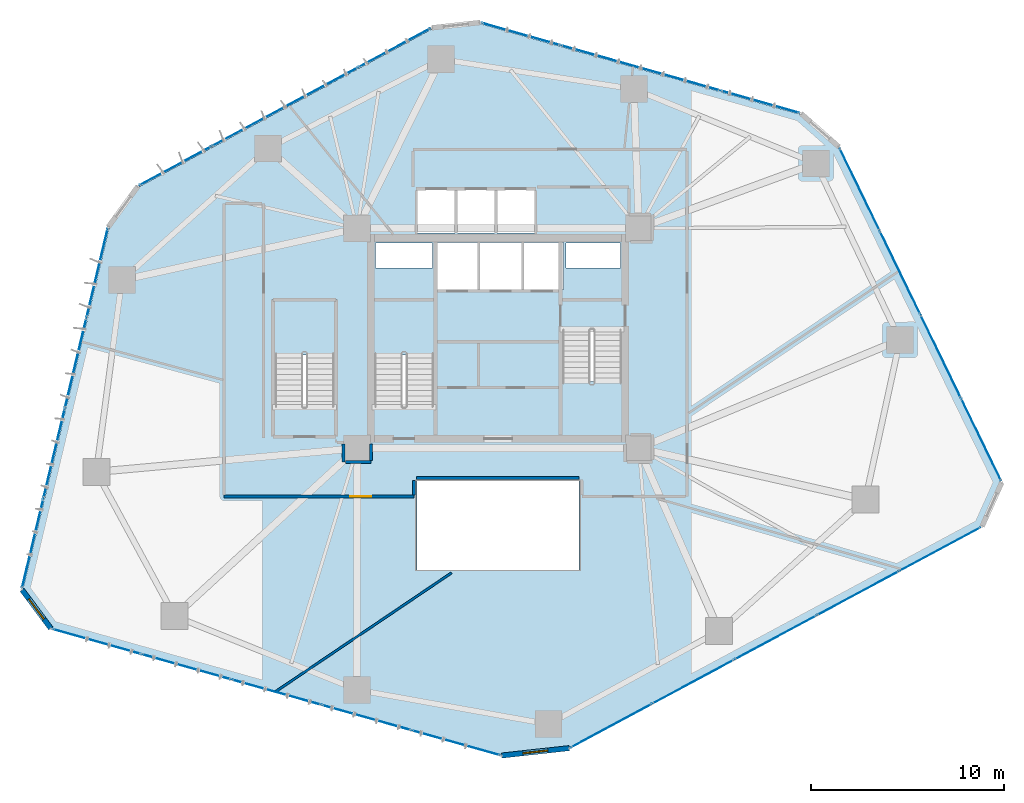
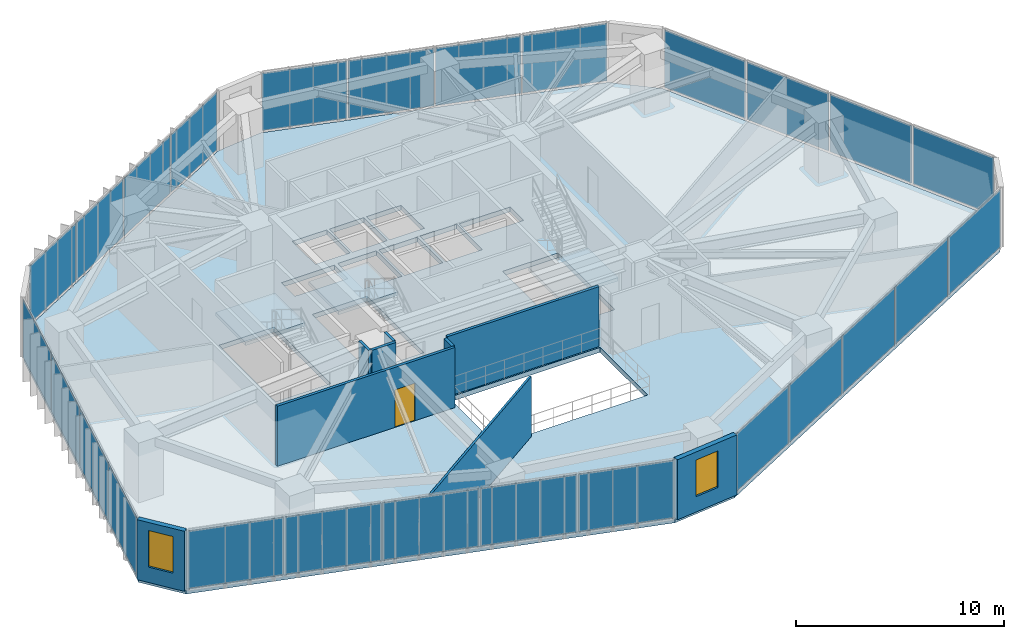
# One storey, part 18 of 24: 26 plates, 9 walls, 4 slabs, 2 windows, 1 door, 3 openings, 9 elements without a shape of their own.
"""IFC4 building model written with IfcOpenShell, lengths in metres."""

from ifc_helpers import new_model, si_unit, direction, frame, frame_2d, origin, origin_2d, place, context, subcontext, project, spatial, polyline, rectangle, outline, extrude, source, transform, mapped, material, layer, layer_set, type_object, type_shapes, element, fill, aggregate, save


model = new_model("IFC4")

# Units and contexts
model_context = context("Model", 3, precision=1e-05, world=origin(), true_north=direction((0.0, 1.0)))
body_context = subcontext(model_context, "Body", "Model", "MODEL_VIEW")
ifc_project = project(units=[si_unit("LENGTHUNIT", "METRE"), si_unit("AREAUNIT", "SQUARE_METRE"), si_unit("VOLUMEUNIT", "CUBIC_METRE"), si_unit("PLANEANGLEUNIT", "RADIAN"), si_unit("MASSUNIT", "GRAM", prefix="KILO")], contexts=[model_context])

# Site, building, storey
site_placement = place(None, origin())
site = spatial("IfcSite", under=ifc_project, at=site_placement, CompositionType="ELEMENT")
building_placement = place(site_placement, origin())
building = spatial("IfcBuilding", under=site, at=building_placement, Name="Talar Marvaseh", CompositionType="ELEMENT")
storey_placement = place(building_placement, frame((0.0, 0.0, 43.0)))
storey = spatial("IfcBuildingStorey", under=building, at=storey_placement, Name="L10", CompositionType="ELEMENT", Elevation=43.0)

# Stair, slab
ifc_material_1 = material(Name="Concrete C40/50", Category="concrete")
stair_type = type_object("IfcStairType", Name="Reinforced Concrete Half-Turn Exit Stair Type B", PredefinedType="HALF_TURN_STAIR", material=ifc_material_1)
stair_1_placement = place(storey_placement, origin())
stair_1 = element("IfcStair", 1, at=stair_1_placement, inside=storey, type_object=stair_type, Name="L10 Tower West Core Exit Stair", PredefinedType="HALF_TURN_STAIR")
ifc_layer_1 = layer(ifc_material_1, 0.199951171875)
ifc_layer_set_1 = layer_set([ifc_layer_1], Name="Concrete C40/50")
slab_type_1 = type_object("IfcSlabType", Name="Reinforced Concrete Stair Half-Landing Slab 200", PredefinedType="LANDING", material=ifc_layer_set_1)
slab_1_placement = place(storey_placement, frame((0.0, 0.0, 1.699951171875)))
slab_1 = element("IfcSlab", 2, at=slab_1_placement, type_object=slab_type_1, Name="ST-1 landing 1", PredefinedType="LANDING", context=body_context, shape_type="SweptSolid", body=[
    extrude(outline(polyline([(22.780029296875, 30.330078125), (22.780029296875, 33.219970703125), (19.47998046875, 33.219970703125), (19.47998046875, 30.330078125), (22.780029296875, 30.330078125)])), origin(), (0.0, 0.0, 1.0), 0.199951171875),
])
aggregate(stair_1, [slab_1])

stair_2_placement = place(storey_placement, origin())
stair_2 = element("IfcStair", 3, at=stair_2_placement, inside=storey, type_object=stair_type, Name="L10 Tower East Core Exit Stair", PredefinedType="HALF_TURN_STAIR")
slab_2_placement = place(storey_placement, frame((0.0, 0.0, 1.699951171875)))
slab_2 = element("IfcSlab", 4, at=slab_2_placement, type_object=slab_type_1, Name="ST-2 landing 1", PredefinedType="LANDING", context=body_context, shape_type="SweptSolid", body=[
    extrude(outline(polyline([(29.219970703125, 28.969970703125), (29.219970703125, 26.080078125), (32.52001953125, 26.080078125), (32.52001953125, 28.969970703125), (29.219970703125, 28.969970703125)])), origin(), (0.0, 0.0, 1.0), 0.199951171875),
])
aggregate(stair_2, [slab_2])

stair_3_placement = place(storey_placement, origin())
stair_3 = element("IfcStair", 5, at=stair_3_placement, inside=storey, type_object=stair_type, Name="L10 Museum & Podium Auxiliary Exit Stair", PredefinedType="HALF_TURN_STAIR")
slab_3_placement = place(storey_placement, frame((0.0, 0.0, 1.699951171875)))
slab_3 = element("IfcSlab", 6, at=slab_3_placement, type_object=slab_type_1, Name="ST-3 landing 1", PredefinedType="LANDING", context=body_context, shape_type="SweptSolid", body=[
    extrude(outline(polyline([(17.6201171875, 30.330078125), (17.6201171875, 33.219970703125), (14.320068359375, 33.219970703125), (14.320068359375, 30.330078125), (17.6201171875, 30.330078125)])), origin(), (0.0, 0.0, 1.0), 0.199951171875),
])
aggregate(stair_3, [slab_3])

# Slab
ifc_layer_2 = layer(ifc_material_1, 0.280029296875)
ifc_layer_set_2 = layer_set([ifc_layer_2], Name="Concrete C40/50")
slab_type_2 = type_object("IfcSlabType", Name="Structural Suspended Floor Slab 280", PredefinedType="FLOOR", material=ifc_layer_set_2)
slab_4_placement = place(storey_placement, frame((0.0, 0.0, -0.280029296875)))
element("IfcSlab", 7, at=slab_4_placement, inside=storey, type_object=slab_type_2, Name="L10 Tower Floor Slab", PredefinedType="FLOOR", context=body_context, shape_type="SweptSolid", body=[
    extrude(outline(polyline([(2.860595703125, 16.19970703125), (1.376953125, 18.19189453125), (5.84326171875, 36.93359375), (7.3896484375, 39.052490234375), (22.5732421875, 47.234130859375), (25.07421875, 47.508056640625), (41.668701171875, 42.806884765625), (43.63720703125, 41.07275390625), (52.053955078125, 23.7421875), (51.03662109375, 21.475830078125), (29.69384765625, 10.01220703125), (26.1787109375, 9.627197265625), (2.860595703125, 16.19970703125)]), holes=[polyline([(22.659912109375, 27.64990234375), (22.659912109375, 33.10009765625), (19.60009765625, 33.10009765625), (19.60009765625, 27.64990234375), (22.659912109375, 27.64990234375)]), polyline([(29.340087890625, 31.64990234375), (29.340087890625, 26.199951171875), (32.39990234375, 26.199951171875), (32.39990234375, 31.64990234375), (29.340087890625, 31.64990234375)]), polyline([(17.5, 27.64990234375), (17.5, 33.10009765625), (14.43994140625, 33.10009765625), (14.43994140625, 27.64990234375), (17.5, 27.64990234375)]), polyline([(22.800048828125, 33.719970703125), (24.93994140625, 33.719970703125), (24.93994140625, 36.179931640625), (22.800048828125, 36.179931640625), (22.800048828125, 33.719970703125)]), polyline([(25.080078125, 33.719970703125), (27.219970703125, 33.719970703125), (27.219970703125, 36.179931640625), (25.080078125, 36.179931640625), (25.080078125, 33.719970703125)]), polyline([(27.360107421875, 33.719970703125), (29.39990234375, 33.719970703125), (29.39990234375, 36.179931640625), (27.360107421875, 36.179931640625), (27.360107421875, 33.719970703125)]), polyline([(21.840087890625, 36.659912109375), (23.760009765625, 36.659912109375), (23.760009765625, 38.8798828125), (21.840087890625, 38.8798828125), (21.840087890625, 36.659912109375)]), polyline([(23.89990234375, 36.659912109375), (25.820068359375, 36.659912109375), (25.820068359375, 38.8798828125), (23.89990234375, 38.8798828125), (23.89990234375, 36.659912109375)]), polyline([(25.9599609375, 36.659912109375), (27.8798828125, 36.659912109375), (27.8798828125, 38.8798828125), (25.9599609375, 38.8798828125), (25.9599609375, 36.659912109375)]), polyline([(19.659912109375, 34.840087890625), (22.60009765625, 34.840087890625), (22.60009765625, 36.139892578125), (19.659912109375, 36.139892578125), (19.659912109375, 34.840087890625)]), polyline([(29.52001953125, 34.840087890625), (32.340087890625, 34.840087890625), (32.340087890625, 36.139892578125), (29.52001953125, 36.139892578125), (29.52001953125, 34.840087890625)]), polyline([(21.800048828125, 19.199951171875), (30.199951171875, 19.199951171875), (30.199951171875, 23.800048828125), (21.800048828125, 23.800048828125), (21.800048828125, 19.199951171875)])]), origin(), (0.0, 0.0, 1.0), 0.280029296875),
])

# Curtain wall, plates
ifc_material_2 = material(Name="Architectural Aluminium", Category="aluminium")
ifc_layer_3 = layer(ifc_material_2, 0.219970703125)
ifc_layer_set_3 = layer_set([ifc_layer_3], Name="Architectural Aluminium")
curtain_wall_type = type_object("IfcCurtainWallType", Name="Unitised Low-E Museum Curtain Wall Z1", PredefinedType="NOTDEFINED", material=ifc_layer_set_3)
curtain_wall_1_placement = place(storey_placement, origin())
curtain_wall_1 = element("IfcCurtainWall", 8, at=curtain_wall_1_placement, inside=storey, type_object=curtain_wall_type, Name="L10 Unitised Low-E Museum Curtain Wall Z1", PredefinedType="NOTDEFINED")
ifc_material_3 = material(Name="Laminated Low-E Solar Glass", Category="glass")
ifc_layer_4 = layer(ifc_material_3, 0.028076171875)
ifc_layer_set_4 = layer_set([ifc_layer_4], Name="Laminated Low-E Solar Glass")
plate_type = type_object("IfcPlateType", Name="Double-Glazed Low-E Vision Curtain Panel 28", PredefinedType="CURTAIN_PANEL", material=ifc_layer_set_4)
shared_shape_1 = source(origin(), body_context, "Body", "SweptSolid", [
    extrude(rectangle(XDim=4.696533203125, YDim=0.028076171875, at=origin_2d()), origin(), (0.0, 0.0, 1.0), 3.3701171875),
])
plate_1_placement = place(storey_placement, frame((1.881591796875, 20.568115234375, 0.074951171875), z_axis=(0.0, 0.0, 1.0), x_axis=(0.231811619213, 0.972760696779, 0.0)))
plate_1 = element("IfcPlate", 9, at=plate_1_placement, type_object=plate_type, Name="CW-Z1 panel 1.1", PredefinedType="CURTAIN_PANEL", context=body_context, shape_type="MappedRepresentation", body=[
    mapped(shared_shape_1, transform((0.0, 0.0, 0.0), x_axis=(1.0, 0.0, 0.0), y_axis=(0.0, 1.0, 0.0), z_axis=(0.0, 0.0, 1.0), scale=1.0)),
])
plate_2_placement = place(storey_placement, frame((5.221923828125, 34.58544921875, 0.074951171875), z_axis=(0.0, 0.0, 1.0), x_axis=(0.231811619213, 0.972760696779, 0.0)))
plate_2 = element("IfcPlate", 10, at=plate_2_placement, type_object=plate_type, Name="CW-Z1 panel 4.1", PredefinedType="CURTAIN_PANEL", context=body_context, shape_type="MappedRepresentation", body=[
    mapped(shared_shape_1, transform((0.0, 0.0, 0.0), x_axis=(1.0, 0.0, 0.0), y_axis=(0.0, 1.0, 0.0), z_axis=(0.0, 0.0, 1.0), scale=1.0)),
])

curtain_wall_2_placement = place(storey_placement, origin())
curtain_wall_2 = element("IfcCurtainWall", 11, at=curtain_wall_2_placement, inside=storey, type_object=curtain_wall_type, Name="L10 Unitised Low-E Museum Curtain Wall Z1", PredefinedType="NOTDEFINED")
plate_3_placement = place(storey_placement, frame((44.751953125, 38.91455078125, 0.074951171875), z_axis=(0.0, 0.0, 1.0), x_axis=(0.436863286086, -0.89952791467, 0.0)))
plate_3 = element("IfcPlate", 12, at=plate_3_placement, type_object=plate_type, Name="CW-Z1 panel 1.1", PredefinedType="CURTAIN_PANEL", context=body_context, shape_type="MappedRepresentation", body=[
    mapped(shared_shape_1, transform((0.0, 0.0, 0.0), x_axis=(1.0, 0.0, 0.0), y_axis=(0.0, 1.0, 0.0), z_axis=(0.0, 0.0, 1.0), scale=1.0)),
])
plate_4_placement = place(storey_placement, frame((51.047119140625, 25.95263671875, 0.074951171875), z_axis=(0.0, 0.0, 1.0), x_axis=(0.436863286086, -0.89952791467, 0.0)))
plate_4 = element("IfcPlate", 13, at=plate_4_placement, type_object=plate_type, Name="CW-Z1 panel 4.1", PredefinedType="CURTAIN_PANEL", context=body_context, shape_type="MappedRepresentation", body=[
    mapped(shared_shape_1, transform((0.0, 0.0, 0.0), x_axis=(1.0, 0.0, 0.0), y_axis=(0.0, 1.0, 0.0), z_axis=(0.0, 0.0, 1.0), scale=1.0)),
])

# Plate
shared_shape_2 = source(origin(), body_context, "Body", "SweptSolid", [
    extrude(rectangle(XDim=4.736572265625, YDim=0.028076171875, at=origin_2d()), origin(), (0.0, 0.0, 1.0), 3.3701171875),
])
plate_5_placement = place(storey_placement, frame((2.993408203125, 25.234130859375, 0.074951171875), z_axis=(0.0, 0.0, 1.0), x_axis=(0.231811619213, 0.972760696779, 0.0)))
plate_5 = element("IfcPlate", 14, at=plate_5_placement, type_object=plate_type, Name="CW-Z1 panel 2.1", PredefinedType="CURTAIN_PANEL", context=body_context, shape_type="MappedRepresentation", body=[
    mapped(shared_shape_2, transform((0.0, 0.0, 0.0), x_axis=(1.0, 0.0, 0.0), y_axis=(0.0, 1.0, 0.0), z_axis=(0.0, 0.0, 1.0), scale=1.0)),
])

plate_6_placement = place(storey_placement, frame((4.10986328125, 29.91943359375, 0.074951171875), z_axis=(0.0, 0.0, 1.0), x_axis=(0.231811619213, 0.972760696779, 0.0)))
plate_6 = element("IfcPlate", 15, at=plate_6_placement, type_object=plate_type, Name="CW-Z1 panel 3.1", PredefinedType="CURTAIN_PANEL", context=body_context, shape_type="MappedRepresentation", body=[
    mapped(shared_shape_2, transform((0.0, 0.0, 0.0), x_axis=(1.0, 0.0, 0.0), y_axis=(0.0, 1.0, 0.0), z_axis=(0.0, 0.0, 1.0), scale=1.0)),
])

aggregate(curtain_wall_1, [plate_1, plate_5, plate_6, plate_2])

plate_7_placement = place(storey_placement, frame((46.847412109375, 34.60009765625, 0.074951171875), z_axis=(0.0, 0.0, 1.0), x_axis=(0.436863286086, -0.89952791467, 0.0)))
plate_7 = element("IfcPlate", 16, at=plate_7_placement, type_object=plate_type, Name="CW-Z1 panel 2.1", PredefinedType="CURTAIN_PANEL", context=body_context, shape_type="MappedRepresentation", body=[
    mapped(shared_shape_2, transform((0.0, 0.0, 0.0), x_axis=(1.0, 0.0, 0.0), y_axis=(0.0, 1.0, 0.0), z_axis=(0.0, 0.0, 1.0), scale=1.0)),
])

plate_8_placement = place(storey_placement, frame((48.95166015625, 30.267333984375, 0.074951171875), z_axis=(0.0, 0.0, 1.0), x_axis=(0.436863286086, -0.89952791467, 0.0)))
plate_8 = element("IfcPlate", 17, at=plate_8_placement, type_object=plate_type, Name="CW-Z1 panel 3.1", PredefinedType="CURTAIN_PANEL", context=body_context, shape_type="MappedRepresentation", body=[
    mapped(shared_shape_2, transform((0.0, 0.0, 0.0), x_axis=(1.0, 0.0, 0.0), y_axis=(0.0, 1.0, 0.0), z_axis=(0.0, 0.0, 1.0), scale=1.0)),
])

aggregate(curtain_wall_2, [plate_3, plate_7, plate_8, plate_4])

# Curtain wall, plates
curtain_wall_3_placement = place(storey_placement, origin())
curtain_wall_3 = element("IfcCurtainWall", 18, at=curtain_wall_3_placement, inside=storey, type_object=curtain_wall_type, Name="L10 Unitised Low-E Museum Curtain Wall Z1", PredefinedType="NOTDEFINED")
shared_shape_3 = source(origin(), body_context, "Body", "SweptSolid", [
    extrude(rectangle(XDim=4.19189453125, YDim=0.028076171875, at=origin_2d()), origin(), (0.0, 0.0, 1.0), 3.3701171875),
])
plate_9_placement = place(storey_placement, frame((9.27685546875, 40.1376953125, 0.074951171875), z_axis=(0.0, 0.0, 1.0), x_axis=(0.880329011065, 0.474363607665, 0.0)))
plate_9 = element("IfcPlate", 19, at=plate_9_placement, type_object=plate_type, Name="CW-Z1 panel 1.1", PredefinedType="CURTAIN_PANEL", context=body_context, shape_type="MappedRepresentation", body=[
    mapped(shared_shape_3, transform((0.0, 0.0, 0.0), x_axis=(1.0, 0.0, 0.0), y_axis=(0.0, 1.0, 0.0), z_axis=(0.0, 0.0, 1.0), scale=1.0)),
])
plate_10_placement = place(storey_placement, frame((20.629150390625, 46.2548828125, 0.074951171875), z_axis=(0.0, 0.0, 1.0), x_axis=(0.880329011065, 0.474363607665, 0.0)))
plate_10 = element("IfcPlate", 20, at=plate_10_placement, type_object=plate_type, Name="CW-Z1 panel 4.1", PredefinedType="CURTAIN_PANEL", context=body_context, shape_type="MappedRepresentation", body=[
    mapped(shared_shape_3, transform((0.0, 0.0, 0.0), x_axis=(1.0, 0.0, 0.0), y_axis=(0.0, 1.0, 0.0), z_axis=(0.0, 0.0, 1.0), scale=1.0)),
])

curtain_wall_4_placement = place(storey_placement, origin())
curtain_wall_4 = element("IfcCurtainWall", 21, at=curtain_wall_4_placement, inside=storey, type_object=curtain_wall_type, Name="L10 Unitised Low-E Museum Curtain Wall Z1", PredefinedType="NOTDEFINED")
plate_11_placement = place(storey_placement, frame((27.184326171875, 46.97265625, 0.074951171875), z_axis=(0.0, 0.0, 1.0), x_axis=(0.962133518358, -0.272578599403, 0.0)))
plate_11 = element("IfcPlate", 22, at=plate_11_placement, type_object=plate_type, Name="CW-Z1 panel 1.1", PredefinedType="CURTAIN_PANEL", context=body_context, shape_type="MappedRepresentation", body=[
    mapped(shared_shape_3, transform((0.0, 0.0, 0.0), x_axis=(1.0, 0.0, 0.0), y_axis=(0.0, 1.0, 0.0), z_axis=(0.0, 0.0, 1.0), scale=1.0)),
])
plate_12_placement = place(storey_placement, frame((39.591552734375, 43.45751953125, 0.074951171875), z_axis=(0.0, 0.0, 1.0), x_axis=(0.962133518358, -0.272578599403, 0.0)))
plate_12 = element("IfcPlate", 23, at=plate_12_placement, type_object=plate_type, Name="CW-Z1 panel 4.1", PredefinedType="CURTAIN_PANEL", context=body_context, shape_type="MappedRepresentation", body=[
    mapped(shared_shape_3, transform((0.0, 0.0, 0.0), x_axis=(1.0, 0.0, 0.0), y_axis=(0.0, 1.0, 0.0), z_axis=(0.0, 0.0, 1.0), scale=1.0)),
])

# Plate
shared_shape_4 = source(origin(), body_context, "Body", "SweptSolid", [
    extrude(rectangle(XDim=4.23193359375, YDim=0.028076171875, at=origin_2d()), origin(), (0.0, 0.0, 1.0), 3.3701171875),
])
plate_13_placement = place(storey_placement, frame((13.054931640625, 42.173583984375, 0.074951171875), z_axis=(0.0, 0.0, 1.0), x_axis=(0.880329011065, 0.474363607665, 0.0)))
plate_13 = element("IfcPlate", 24, at=plate_13_placement, type_object=plate_type, Name="CW-Z1 panel 2.1", PredefinedType="CURTAIN_PANEL", context=body_context, shape_type="MappedRepresentation", body=[
    mapped(shared_shape_4, transform((0.0, 0.0, 0.0), x_axis=(1.0, 0.0, 0.0), y_axis=(0.0, 1.0, 0.0), z_axis=(0.0, 0.0, 1.0), scale=1.0)),
])

plate_14_placement = place(storey_placement, frame((16.850830078125, 44.218994140625, 0.074951171875), z_axis=(0.0, 0.0, 1.0), x_axis=(0.880329011065, 0.474363607665, 0.0)))
plate_14 = element("IfcPlate", 25, at=plate_14_placement, type_object=plate_type, Name="CW-Z1 panel 3.1", PredefinedType="CURTAIN_PANEL", context=body_context, shape_type="MappedRepresentation", body=[
    mapped(shared_shape_4, transform((0.0, 0.0, 0.0), x_axis=(1.0, 0.0, 0.0), y_axis=(0.0, 1.0, 0.0), z_axis=(0.0, 0.0, 1.0), scale=1.0)),
])

aggregate(curtain_wall_3, [plate_9, plate_13, plate_14, plate_10])

plate_15_placement = place(storey_placement, frame((31.313720703125, 45.802734375, 0.074951171875), z_axis=(0.0, 0.0, 1.0), x_axis=(0.962133518358, -0.272578599403, 0.0)))
plate_15 = element("IfcPlate", 26, at=plate_15_placement, type_object=plate_type, Name="CW-Z1 panel 2.1", PredefinedType="CURTAIN_PANEL", context=body_context, shape_type="MappedRepresentation", body=[
    mapped(shared_shape_4, transform((0.0, 0.0, 0.0), x_axis=(1.0, 0.0, 0.0), y_axis=(0.0, 1.0, 0.0), z_axis=(0.0, 0.0, 1.0), scale=1.0)),
])

plate_16_placement = place(storey_placement, frame((35.462158203125, 44.62744140625, 0.074951171875), z_axis=(0.0, 0.0, 1.0), x_axis=(0.962133518358, -0.272578599403, 0.0)))
plate_16 = element("IfcPlate", 27, at=plate_16_placement, type_object=plate_type, Name="CW-Z1 panel 3.1", PredefinedType="CURTAIN_PANEL", context=body_context, shape_type="MappedRepresentation", body=[
    mapped(shared_shape_4, transform((0.0, 0.0, 0.0), x_axis=(1.0, 0.0, 0.0), y_axis=(0.0, 1.0, 0.0), z_axis=(0.0, 0.0, 1.0), scale=1.0)),
])

aggregate(curtain_wall_4, [plate_11, plate_15, plate_16, plate_12])

# Curtain wall, plates
curtain_wall_5_placement = place(storey_placement, origin())
curtain_wall_5 = element("IfcCurtainWall", 28, at=curtain_wall_5_placement, inside=storey, type_object=curtain_wall_type, Name="L10 Unitised Low-E Museum Curtain Wall Z1", PredefinedType="NOTDEFINED")
shared_shape_5 = source(origin(), body_context, "Body", "SweptSolid", [
    extrude(rectangle(XDim=4.725341796875, YDim=0.028076171875, at=origin_2d()), origin(), (0.0, 0.0, 1.0), 3.3701171875),
])
plate_17_placement = place(storey_placement, frame((48.9130859375, 20.26708984375, 0.074951171875), z_axis=(0.0, 0.0, 1.0), x_axis=(-0.880963012144, -0.473185134207, 0.0)))
plate_17 = element("IfcPlate", 29, at=plate_17_placement, type_object=plate_type, Name="CW-Z1 panel 1.1", PredefinedType="CURTAIN_PANEL", context=body_context, shape_type="MappedRepresentation", body=[
    mapped(shared_shape_5, transform((0.0, 0.0, 0.0), x_axis=(1.0, 0.0, 0.0), y_axis=(0.0, 1.0, 0.0), z_axis=(0.0, 0.0, 1.0), scale=1.0)),
])
plate_18_placement = place(storey_placement, frame((31.8740234375, 11.115234375, 0.074951171875), z_axis=(0.0, 0.0, 1.0), x_axis=(-0.880963012144, -0.473185134207, 0.0)))
plate_18 = element("IfcPlate", 30, at=plate_18_placement, type_object=plate_type, Name="CW-Z1 panel 5.1", PredefinedType="CURTAIN_PANEL", context=body_context, shape_type="MappedRepresentation", body=[
    mapped(shared_shape_5, transform((0.0, 0.0, 0.0), x_axis=(1.0, 0.0, 0.0), y_axis=(0.0, 1.0, 0.0), z_axis=(0.0, 0.0, 1.0), scale=1.0)),
])

curtain_wall_6_placement = place(storey_placement, origin())
curtain_wall_6 = element("IfcCurtainWall", 31, at=curtain_wall_6_placement, inside=storey, type_object=curtain_wall_type, Name="L10 Unitised Low-E Museum Curtain Wall Z1", PredefinedType="NOTDEFINED")
plate_19_placement = place(storey_placement, frame((23.8115234375, 10.232177734375, 0.074951171875), z_axis=(0.0, 0.0, 1.0), x_axis=(-0.962497112032, 0.271291926399, 0.0)))
plate_19 = element("IfcPlate", 32, at=plate_19_placement, type_object=plate_type, Name="CW-Z1 panel 1.1", PredefinedType="CURTAIN_PANEL", context=body_context, shape_type="MappedRepresentation", body=[
    mapped(shared_shape_5, transform((0.0, 0.0, 0.0), x_axis=(1.0, 0.0, 0.0), y_axis=(0.0, 1.0, 0.0), z_axis=(0.0, 0.0, 1.0), scale=1.0)),
])
plate_20_placement = place(storey_placement, frame((5.195556640625, 15.479248046875, 0.074951171875), z_axis=(0.0, 0.0, 1.0), x_axis=(-0.962497112032, 0.271291926399, 0.0)))
plate_20 = element("IfcPlate", 33, at=plate_20_placement, type_object=plate_type, Name="CW-Z1 panel 5.1", PredefinedType="CURTAIN_PANEL", context=body_context, shape_type="MappedRepresentation", body=[
    mapped(shared_shape_5, transform((0.0, 0.0, 0.0), x_axis=(1.0, 0.0, 0.0), y_axis=(0.0, 1.0, 0.0), z_axis=(0.0, 0.0, 1.0), scale=1.0)),
])

# Plate
shared_shape_6 = source(origin(), body_context, "Body", "SweptSolid", [
    extrude(rectangle(XDim=4.765380859375, YDim=0.028076171875, at=origin_2d()), origin(), (0.0, 0.0, 1.0), 3.3701171875),
])
type_shapes(plate_type, [shared_shape_1, shared_shape_2, shared_shape_3, shared_shape_4, shared_shape_5, shared_shape_6])
plate_21_placement = place(storey_placement, frame((44.662109375, 17.98388671875, 0.074951171875), z_axis=(0.0, 0.0, 1.0), x_axis=(-0.880963012144, -0.473185134207, 0.0)))
plate_21 = element("IfcPlate", 34, at=plate_21_placement, type_object=plate_type, Name="CW-Z1 panel 2.1", PredefinedType="CURTAIN_PANEL", context=body_context, shape_type="MappedRepresentation", body=[
    mapped(shared_shape_6, transform((0.0, 0.0, 0.0), x_axis=(1.0, 0.0, 0.0), y_axis=(0.0, 1.0, 0.0), z_axis=(0.0, 0.0, 1.0), scale=1.0)),
])

plate_22_placement = place(storey_placement, frame((40.3935546875, 15.691162109375, 0.074951171875), z_axis=(0.0, 0.0, 1.0), x_axis=(-0.880963012144, -0.473185134207, 0.0)))
plate_22 = element("IfcPlate", 35, at=plate_22_placement, type_object=plate_type, Name="CW-Z1 panel 3.1", PredefinedType="CURTAIN_PANEL", context=body_context, shape_type="MappedRepresentation", body=[
    mapped(shared_shape_6, transform((0.0, 0.0, 0.0), x_axis=(1.0, 0.0, 0.0), y_axis=(0.0, 1.0, 0.0), z_axis=(0.0, 0.0, 1.0), scale=1.0)),
])

plate_23_placement = place(storey_placement, frame((36.125, 13.3984375, 0.074951171875), z_axis=(0.0, 0.0, 1.0), x_axis=(-0.880963012144, -0.473185134207, 0.0)))
plate_23 = element("IfcPlate", 36, at=plate_23_placement, type_object=plate_type, Name="CW-Z1 panel 4.1", PredefinedType="CURTAIN_PANEL", context=body_context, shape_type="MappedRepresentation", body=[
    mapped(shared_shape_6, transform((0.0, 0.0, 0.0), x_axis=(1.0, 0.0, 0.0), y_axis=(0.0, 1.0, 0.0), z_axis=(0.0, 0.0, 1.0), scale=1.0)),
])

aggregate(curtain_wall_5, [plate_17, plate_21, plate_22, plate_23, plate_18])

plate_24_placement = place(storey_placement, frame((19.1669921875, 11.541259765625, 0.074951171875), z_axis=(0.0, 0.0, 1.0), x_axis=(-0.962497112032, 0.271291926399, 0.0)))
plate_24 = element("IfcPlate", 37, at=plate_24_placement, type_object=plate_type, Name="CW-Z1 panel 2.1", PredefinedType="CURTAIN_PANEL", context=body_context, shape_type="MappedRepresentation", body=[
    mapped(shared_shape_6, transform((0.0, 0.0, 0.0), x_axis=(1.0, 0.0, 0.0), y_axis=(0.0, 1.0, 0.0), z_axis=(0.0, 0.0, 1.0), scale=1.0)),
])

plate_25_placement = place(storey_placement, frame((14.50341796875, 12.855712890625, 0.074951171875), z_axis=(0.0, 0.0, 1.0), x_axis=(-0.962497112032, 0.271291926399, 0.0)))
plate_25 = element("IfcPlate", 38, at=plate_25_placement, type_object=plate_type, Name="CW-Z1 panel 3.1", PredefinedType="CURTAIN_PANEL", context=body_context, shape_type="MappedRepresentation", body=[
    mapped(shared_shape_6, transform((0.0, 0.0, 0.0), x_axis=(1.0, 0.0, 0.0), y_axis=(0.0, 1.0, 0.0), z_axis=(0.0, 0.0, 1.0), scale=1.0)),
])

plate_26_placement = place(storey_placement, frame((9.83984375, 14.170166015625, 0.074951171875), z_axis=(0.0, 0.0, 1.0), x_axis=(-0.962497112032, 0.271291926399, 0.0)))
plate_26 = element("IfcPlate", 39, at=plate_26_placement, type_object=plate_type, Name="CW-Z1 panel 4.1", PredefinedType="CURTAIN_PANEL", context=body_context, shape_type="MappedRepresentation", body=[
    mapped(shared_shape_6, transform((0.0, 0.0, 0.0), x_axis=(1.0, 0.0, 0.0), y_axis=(0.0, 1.0, 0.0), z_axis=(0.0, 0.0, 1.0), scale=1.0)),
])

aggregate(curtain_wall_6, [plate_19, plate_24, plate_25, plate_26, plate_20])

# Wall, opening, window
ifc_material_4 = material(Name="Precast concrete C45/55", Category="concrete")
ifc_layer_5 = layer(ifc_material_4, 0.27001953125)
ifc_layer_set_5 = layer_set([ifc_layer_5], Name="Precast concrete C45/55")
wall_type_1 = type_object("IfcWallType", Name="Chamfered Hexagonal Corner Pier Wall Z1 270", PredefinedType="SOLIDWALL", material=ifc_layer_set_5)
wall_1_placement = place(storey_placement, frame((2.8125, 16.163818359375, 0.0), z_axis=(0.0, 0.0, 1.0), x_axis=(-0.597244623885, 0.802059136997, 0.0)))
wall_1 = element("IfcWall", 40, at=wall_1_placement, inside=storey, type_object=wall_type_1, Name="L10 Chamfered Corner Limestone Pier 1", PredefinedType="SOLIDWALL", context=body_context, shape_type="SweptSolid", body=[
    extrude(rectangle(XDim=2.484130859375, YDim=0.27001953125, at=frame_2d((1.2421875, 0.0))), origin(), (0.0, 0.0, 1.0), 3.52001953125),
])
opening_1_placement = place(wall_1_placement, frame((0.592041015625, 0.0, 0.89990234375)))
opening_1 = element("IfcOpeningElement", 41, at=opening_1_placement, cuts=wall_1, Name="Opening WN-CHM13", PredefinedType="OPENING", context=body_context, shape_type="SweptSolid", body=[
    extrude(rectangle(XDim=1.300048828125, YDim=2.14990234375, at=frame_2d((0.64990234375, 1.074951171875))), frame((0.0, 0.14501953125, 0.0), z_axis=(0.0, -1.0, 0.0), x_axis=(1.0, 0.0, 0.0)), (0.0, 0.0, 1.0), 0.2900390625),
])
window_type = type_object("IfcWindowType", Name="Zone 1 Chamfered Corner Slot Window 1300x2150", PartitioningType="SINGLE_PANEL", PredefinedType="WINDOW", material=ifc_material_3)
shared_shape_7 = source(origin(), body_context, "Body", "SweptSolid", [
    extrude(rectangle(XDim=1.300048828125, YDim=2.14990234375, at=frame_2d((0.64990234375, 1.074951171875))), frame((0.0, 0.030029296875, 0.0), z_axis=(0.0, -1.0, 0.0), x_axis=(1.0, 0.0, 0.0)), (0.0, 0.0, 1.0), 0.06005859375),
])
type_shapes(window_type, [shared_shape_7])
window_1_placement = place(opening_1_placement, origin())
window_1 = element("IfcWindow", 42, at=window_1_placement, inside=storey, type_object=window_type, Name="L10 Chamfered Corner Slot Window", OverallHeight=2.14990234375, OverallWidth=1.300048828125, PartitioningType="SINGLE_PANEL", PredefinedType="WINDOW", context=body_context, shape_type="MappedRepresentation", body=[
    mapped(shared_shape_7, transform((0.0, 0.0, 0.0), x_axis=(1.0, 0.0, 0.0), y_axis=(0.0, 1.0, 0.0), z_axis=(0.0, 0.0, 1.0), scale=1.0)),
])
fill(opening_1, window_1)

wall_2_placement = place(storey_placement, frame((29.7001953125, 9.95263671875, 0.0), z_axis=(0.0, 0.0, 1.0), x_axis=(-0.99405430514, -0.108885437189, 0.0)))
wall_2 = element("IfcWall", 43, at=wall_2_placement, inside=storey, type_object=wall_type_1, Name="L10 Chamfered Corner Limestone Pier 6", PredefinedType="SOLIDWALL", context=body_context, shape_type="SweptSolid", body=[
    extrude(rectangle(XDim=3.535888671875, YDim=0.27001953125, at=frame_2d((1.76806640625, 0.0))), origin(), (0.0, 0.0, 1.0), 3.52001953125),
])
opening_2_placement = place(wall_2_placement, frame((1.117919921875, 0.0, 0.89990234375)))
opening_2 = element("IfcOpeningElement", 44, at=opening_2_placement, cuts=wall_2, Name="Opening WN-CHM13", PredefinedType="OPENING", context=body_context, shape_type="SweptSolid", body=[
    extrude(rectangle(XDim=1.300048828125, YDim=2.14990234375, at=frame_2d((0.64990234375, 1.074951171875))), frame((0.0, 0.14501953125, 0.0), z_axis=(0.0, -1.0, 0.0), x_axis=(1.0, 0.0, 0.0)), (0.0, 0.0, 1.0), 0.2900390625),
])
window_2_placement = place(opening_2_placement, origin())
window_2 = element("IfcWindow", 45, at=window_2_placement, inside=storey, type_object=window_type, Name="L10 Chamfered Corner Slot Window", OverallHeight=2.14990234375, OverallWidth=1.300048828125, PartitioningType="SINGLE_PANEL", PredefinedType="WINDOW", context=body_context, shape_type="MappedRepresentation", body=[
    mapped(shared_shape_7, transform((0.0, 0.0, 0.0), x_axis=(1.0, 0.0, 0.0), y_axis=(0.0, 1.0, 0.0), z_axis=(0.0, 0.0, 1.0), scale=1.0)),
])
fill(opening_2, window_2)

# Wall, opening, door
ifc_material_5 = material(Name="Gypsum Board Partition Assembly")
ifc_layer_6 = layer(ifc_material_5, 0.155029296875)
ifc_layer_set_6 = layer_set([ifc_layer_6], Name="Gypsum Board Partition Assembly")
wall_type_2 = type_object("IfcWallType", Name="Corridor Fire-Rated Acoustic Partition 155", PredefinedType="PARTITIONING", material=ifc_layer_set_6)
wall_3_placement = place(storey_placement, frame((21.639892578125, 23.0, 0.0), z_axis=(0.0, 0.0, 1.0), x_axis=(-1.0, 0.0, 0.0)))
wall_3 = element("IfcWall", 46, at=wall_3_placement, inside=storey, type_object=wall_type_2, Name="L10 Interior Partition Wall", PredefinedType="PARTITIONING", context=body_context, shape_type="SweptSolid", body=[
    extrude(rectangle(XDim=9.83984375, YDim=0.155029296875, at=frame_2d((4.919921875, 0.0))), origin(), (0.0, 0.0, 1.0), 3.52001953125),
])
opening_3_placement = place(wall_3_placement, frame((2.205078125, 0.0, 0.0)))
opening_3 = element("IfcOpeningElement", 47, at=opening_3_placement, cuts=wall_3, Name="Opening DR-RM110", PredefinedType="OPENING", context=body_context, shape_type="SweptSolid", body=[
    extrude(rectangle(XDim=1.10009765625, YDim=2.199951171875, at=frame_2d((0.550048828125, 1.10009765625))), frame((0.0, 0.08740234375, 0.0), z_axis=(0.0, -1.0, 0.0), x_axis=(1.0, 0.0, 0.0)), (0.0, 0.0, 1.0), 0.175048828125),
])
ifc_material_6 = material(Name="Acoustic Engineered Oak Timber", Category="wood")
door_type = type_object("IfcDoorType", Name="Assembly and Reading Hall Door 1100x2200", OperationType="NOTDEFINED", PredefinedType="DOOR", material=ifc_material_6)
shared_shape_8 = source(origin(), body_context, "Body", "SweptSolid", [
    extrude(rectangle(XDim=1.10009765625, YDim=2.199951171875, at=frame_2d((0.550048828125, 1.10009765625))), frame((0.0, 0.02490234375, 0.0), z_axis=(0.0, -1.0, 0.0), x_axis=(1.0, 0.0, 0.0)), (0.0, 0.0, 1.0), 0.050048828125),
])
type_shapes(door_type, [shared_shape_8])
door_placement = place(opening_3_placement, origin())
door = element("IfcDoor", 48, at=door_placement, inside=storey, type_object=door_type, Name="L10 Exhibition Gallery Door", OperationType="SINGLE_SWING_LEFT", OverallHeight=2.199951171875, OverallWidth=1.10009765625, PredefinedType="DOOR", context=body_context, shape_type="MappedRepresentation", body=[
    mapped(shared_shape_8, transform((0.0, 0.0, 0.0), x_axis=(1.0, 0.0, 0.0), y_axis=(0.0, 1.0, 0.0), z_axis=(0.0, 0.0, 1.0), scale=1.0)),
])
fill(opening_3, door)

# Walls
wall_4_placement = place(storey_placement, frame((30.199951171875, 23.9599609375, 0.0), z_axis=(0.0, 0.0, 1.0), x_axis=(-0.999999996213, -8.7029677e-05, 0.0)))
element("IfcWall", 49, at=wall_4_placement, inside=storey, type_object=wall_type_2, Name="L10 Interior Partition Wall", PredefinedType="PARTITIONING", context=body_context, shape_type="SweptSolid", body=[
    extrude(rectangle(XDim=8.415771484375, YDim=0.155029296875, at=frame_2d((4.2080078125, 0.0))), origin(), (0.0, 0.0, 1.0), 3.52001953125),
])
wall_5_placement = place(storey_placement, frame((21.64306640625, 23.831298828125, 0.0), z_axis=(0.0, 0.0, 1.0), x_axis=(-0.00359122725, -0.999993551523, 0.0)))
element("IfcWall", 50, at=wall_5_placement, inside=storey, type_object=wall_type_2, Name="L10 Interior Partition Wall", PredefinedType="PARTITIONING", context=body_context, shape_type="SweptSolid", body=[
    extrude(rectangle(XDim=0.747802734375, YDim=0.155029296875, at=frame_2d((0.3740234375, 0.0))), origin(), (0.0, 0.0, 1.0), 3.52001953125),
])
wall_6_placement = place(storey_placement, frame((17.986083984375, 25.716552734375, 0.0), z_axis=(0.0, 0.0, 1.0), x_axis=(0.013367088724, -0.999910656478, 0.0)))
element("IfcWall", 51, at=wall_6_placement, inside=storey, type_object=wall_type_2, Name="L10 Interior Partition Wall", PredefinedType="PARTITIONING", context=body_context, shape_type="SweptSolid", body=[
    extrude(rectangle(XDim=0.931396484375, YDim=0.155029296875, at=frame_2d((0.4658203125, 0.0))), origin(), (0.0, 0.0, 1.0), 3.52001953125),
])
wall_7_placement = place(storey_placement, frame((18.08203125, 24.78515625, 0.0), z_axis=(0.0, 0.0, 1.0), x_axis=(0.99999830547, 0.001840939443, 0.0)))
element("IfcWall", 52, at=wall_7_placement, inside=storey, type_object=wall_type_2, Name="L10 Interior Partition Wall", PredefinedType="PARTITIONING", context=body_context, shape_type="SweptSolid", body=[
    extrude(rectangle(XDim=1.326171875, YDim=0.155029296875, at=frame_2d((0.6630859375, 0.0))), origin(), (0.0, 0.0, 1.0), 3.52001953125),
])
wall_8_placement = place(storey_placement, frame((19.408935546875, 24.87109375, 0.0), z_axis=(0.0, 0.0, 1.0), x_axis=(0.007106130977, 0.999974751133, 0.0)))
element("IfcWall", 53, at=wall_8_placement, inside=storey, type_object=wall_type_2, Name="L10 Interior Partition Wall", PredefinedType="PARTITIONING", context=body_context, shape_type="SweptSolid", body=[
    extrude(rectangle(XDim=0.85888671875, YDim=0.155029296875, at=frame_2d((0.429443359375, 0.0))), origin(), (0.0, 0.0, 1.0), 3.52001953125),
])
ifc_layer_7 = layer(ifc_material_5, 0.1201171875)
ifc_layer_set_7 = layer_set([ifc_layer_7], Name="Gypsum Board Partition Assembly")
wall_type_3 = type_object("IfcWallType", Name="Demountable Studio Room Partition 120", PredefinedType="PARTITIONING", material=ifc_layer_set_7)
wall_9_placement = place(storey_placement, frame((23.590087890625, 19.0400390625, 0.0), z_axis=(0.0, 0.0, 1.0), x_axis=(-0.828892916136, -0.559407305619, 0.0)))
element("IfcWall", 54, at=wall_9_placement, inside=storey, type_object=wall_type_3, Name="L10 Interior Partition Wall", PredefinedType="PARTITIONING", context=body_context, shape_type="SweptSolid", body=[
    extrude(rectangle(XDim=11.002685546875, YDim=0.1201171875, at=frame_2d((5.50146484375, 0.0))), origin(), (0.0, 0.0, 1.0), 3.52001953125),
])

save(model, "model.ifc")
